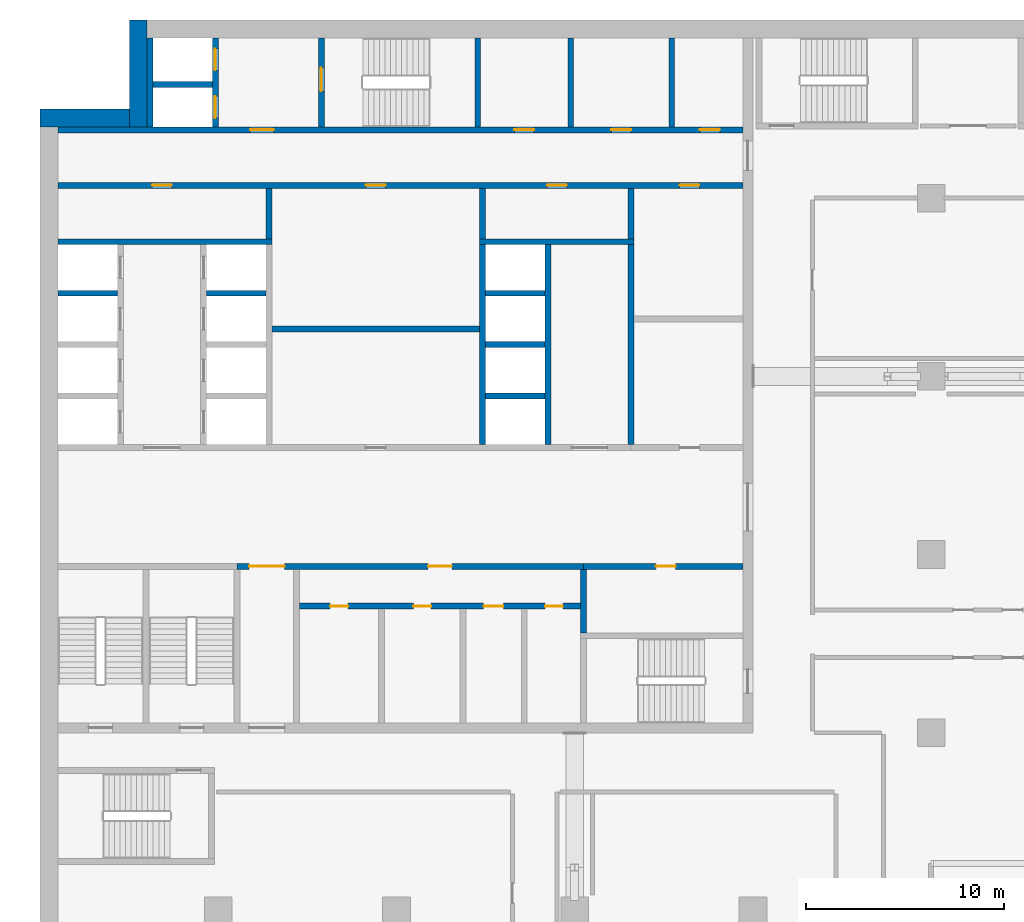
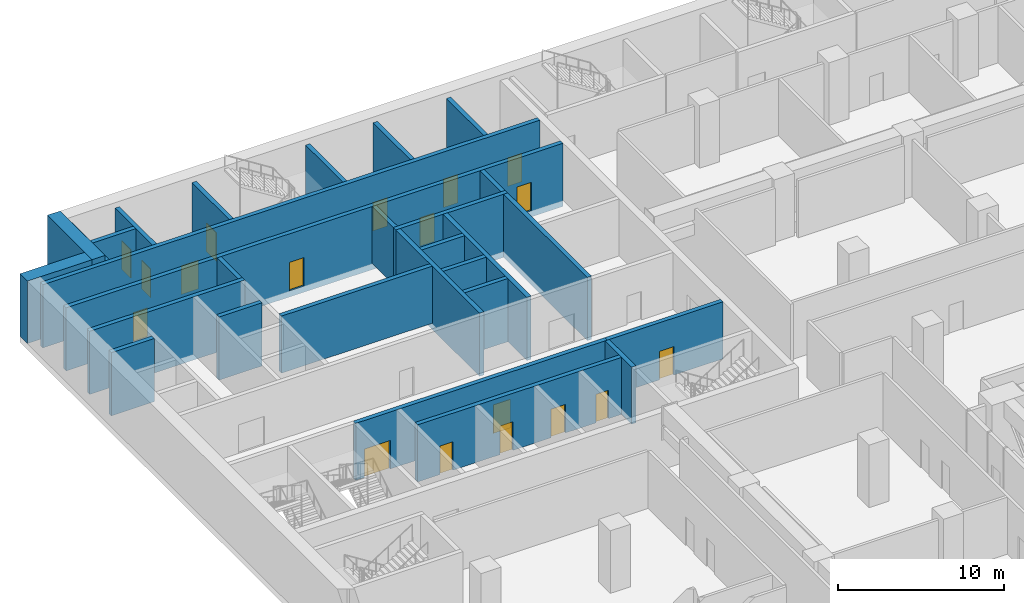
# One storey, part 12 of 24: 29 walls, 18 doors, 18 openings.
"""IFC4 building model written with IfcOpenShell, lengths in metres."""

import ifcopenshell
import ifcopenshell.guid

model = None  # the IFC model being written
_history = None  # IfcOwnerHistory: only IFC2X3 demands one
_inside = {}  # id of a spatial element -> (the spatial element, [elements in it])
_under = {}  # id of a project, library or spatial element -> (it, [spatial elements below it])
_declared = {}  # id of a project -> (the project, [libraries it declares])
_typed = {}  # id of a type object -> (the type object, [elements of that type])
_made_of = {}  # id of a material, layer set ... -> (it, [elements and type objects made of it])


def new_model(schema):
    """Start an empty IFC model of exactly this schema.

    Asked for "IFC4X3", IfcOpenShell would pick the latest addendum, in which some entities
    have other attributes; the version numbers below select the first issue.
    IFC2X3 requires an IfcOwnerHistory on every rooted entity: one is made here for all.
    """
    global model, _history
    if schema == "IFC4X3":
        model = ifcopenshell.file(schema_version=(4, 3, 0, 0))
    else:
        model = ifcopenshell.file(schema=schema)
    _inside.clear()
    _under.clear()
    _declared.clear()
    _typed.clear()
    _made_of.clear()
    _history = None
    if model.schema == "IFC2X3":
        org = make("IfcOrganization", Name="unknown")
        user = make(
            "IfcPersonAndOrganization",
            ThePerson=make("IfcPerson", FamilyName="unknown"),
            TheOrganization=org,
        )
        app = make(
            "IfcApplication",
            ApplicationDeveloper=org,
            Version="unknown",
            ApplicationFullName="unknown",
            ApplicationIdentifier="unknown",
        )
        _history = make(
            "IfcOwnerHistory",
            OwningUser=user,
            OwningApplication=app,
            ChangeAction="ADDED",
            CreationDate=0,
        )
    return model


def make(cls, **values):
    """One entity of the class cls with the attributes given. An attribute that is None is left unset."""
    return model.create_entity(
        cls, **{name: value for name, value in values.items() if value is not None}
    )


def rooted(cls, **values):
    """An entity with a GlobalId (a new one), such as an element, a storey or a relation."""
    return make(cls, GlobalId=ifcopenshell.guid.new(), OwnerHistory=_history, **values)


def si_unit(unit_type, name, prefix=None):
    """IfcSIUnit, for example si_unit("LENGTHUNIT", "METRE", prefix="MILLI")."""
    return make("IfcSIUnit", UnitType=unit_type, Prefix=prefix, Name=name)


def assignment(units):
    """IfcUnitAssignment: the units of a project."""
    return None if units is None else make("IfcUnitAssignment", Units=units)


def point(xyz):
    """IfcCartesianPoint."""
    return None if xyz is None else make("IfcCartesianPoint", Coordinates=xyz)


def direction(xyz):
    """IfcDirection."""
    return None if xyz is None else make("IfcDirection", DirectionRatios=xyz)


def frame(location, z_axis=None, x_axis=None):
    """IfcAxis2Placement3D, a coordinate frame: its origin and axes. An axis left out is left unset."""
    return make(
        "IfcAxis2Placement3D",
        Location=point(location),
        Axis=direction(z_axis),
        RefDirection=direction(x_axis),
    )


def frame_2d(location, x_axis=None):
    """IfcAxis2Placement2D, a coordinate frame in the plane: its origin and x axis."""
    return make(
        "IfcAxis2Placement2D", Location=point(location), RefDirection=direction(x_axis)
    )


def origin():
    """The frame at (0, 0, 0) with its axes left unset."""
    return frame((0.0, 0.0, 0.0))


def place(relative_to, where):
    """IfcLocalPlacement: puts the frame where relative to a parent placement (None: the world)."""
    return make(
        "IfcLocalPlacement", PlacementRelTo=relative_to, RelativePlacement=where
    )


def context(
    kind, dimensions, precision=None, world=None, true_north=None, identifier=None
):
    """IfcGeometricRepresentationContext, for example the 3D "Model" context."""
    return make(
        "IfcGeometricRepresentationContext",
        ContextIdentifier=identifier,
        ContextType=kind,
        CoordinateSpaceDimension=dimensions,
        Precision=precision,
        WorldCoordinateSystem=world,
        TrueNorth=true_north,
    )


def subcontext(parent, identifier, kind, view, scale=None):
    """IfcGeometricRepresentationSubContext, for example "Body" below "Model"."""
    return make(
        "IfcGeometricRepresentationSubContext",
        ContextIdentifier=identifier,
        ContextType=kind,
        ParentContext=parent,
        TargetScale=scale,
        TargetView=view,
    )


def project(units=None, contexts=None):
    """IfcProject with its units and contexts."""
    return rooted(
        "IfcProject",
        Name="project",
        RepresentationContexts=contexts,
        UnitsInContext=assignment(units),
    )


def spatial(cls, under=None, at=None, **own):
    """A site, building, storey or space (cls), placed at a placement, below another one or the project."""
    s = rooted(cls, ObjectPlacement=at, **own)
    if under is not None:
        _under.setdefault(under.id(), (under, []))[1].append(s)
    return s


def profile(cls, at=None, kind="AREA", **sizes):
    """A parametric profile (cls). Its sizes go by their IFC names, for example OverallWidth=200.0."""
    return make(cls, ProfileType=kind, Position=at, **sizes)


def rectangle(**sizes):
    """IfcRectangleProfileDef."""
    return profile("IfcRectangleProfileDef", **sizes)


def extrude(swept, where, along, depth):
    """IfcExtrudedAreaSolid: the profile swept, set in the frame where, extruded along a direction by depth."""
    return make(
        "IfcExtrudedAreaSolid",
        SweptArea=swept,
        Position=where,
        ExtrudedDirection=direction(along),
        Depth=depth,
    )


def shape(context_of_items, identifier, shape_type, items):
    """IfcShapeRepresentation: the items that make up one representation, for example the "Body"."""
    return make(
        "IfcShapeRepresentation",
        ContextOfItems=context_of_items,
        RepresentationIdentifier=identifier,
        RepresentationType=shape_type,
        Items=items,
    )


def material(Name=None, Category=None):
    """IfcMaterial."""
    return make("IfcMaterial", Name=Name, Category=Category)


def layer(
    of_material, thickness, ventilated=None, Name=None, Category=None, Priority=None
):
    """IfcMaterialLayer: one layer of a wall or slab, of a material (None: an air gap)."""
    return make(
        "IfcMaterialLayer",
        Material=of_material,
        LayerThickness=thickness,
        IsVentilated=ventilated,
        Name=Name,
        Category=Category,
        Priority=Priority,
    )


def layer_set(layers, Name=None):
    """IfcMaterialLayerSet."""
    return make("IfcMaterialLayerSet", MaterialLayers=layers, LayerSetName=Name)


def made_of(thing, what):
    """Note that an element or type object is made of a material, layer set ...; save() writes the relation."""
    if what is not None:
        _made_of.setdefault(what.id(), (what, []))[1].append(thing)
    return thing


def type_object(cls, material=None, **own):
    """A type object (cls), such as IfcWallType, which elements share."""
    return made_of(rooted(cls, **own), material)


def element(
    cls,
    number,
    at=None,
    inside=None,
    cuts=None,
    type_object=None,
    material=None,
    context=None,
    identifier="Body",
    shape_type=None,
    held_by="IfcProductDefinitionShape",
    body=None,
    shapes=None,
    **own,
):
    """One element of the class cls, such as IfcWall. Its Tag is "e" and its number.

    at: its placement. inside: the storey or other place that contains it. cuts: it is an
    opening in that element (IfcRelVoidsElement). A single representation is given by context,
    identifier, shape_type and body (its items); several are given by shapes. held_by: the class
    of the entity that holds the representations. save() writes the other relations.
    """
    e = rooted(cls, Tag="e%d" % number, ObjectPlacement=at, **own)
    if body is not None:
        shapes = [shape(context, identifier, shape_type, body)]
    if shapes is not None:
        e.Representation = make(held_by, Representations=shapes)
    if inside is not None:
        _inside.setdefault(inside.id(), (inside, []))[1].append(e)
    if cuts is not None:
        rooted(
            "IfcRelVoidsElement", RelatingBuildingElement=cuts, RelatedOpeningElement=e
        )
    if type_object is not None:
        _typed.setdefault(type_object.id(), (type_object, []))[1].append(e)
    return made_of(e, material)


def fill(opening, filler):
    """IfcRelFillsElement: the door or window that sits in an opening."""
    return rooted(
        "IfcRelFillsElement",
        RelatingOpeningElement=opening,
        RelatedBuildingElement=filler,
    )


def aggregate(whole, parts):
    """IfcRelAggregates: a whole, such as a stair, and the parts it consists of."""
    return rooted("IfcRelAggregates", RelatingObject=whole, RelatedObjects=parts)


def save(model, path):
    """Write the relations noted so far, then the file.

    IfcRelAggregates (storeys below a building ...), IfcRelContainedInSpatialStructure (elements
    in a storey), IfcRelDefinesByType, IfcRelAssociatesMaterial and IfcRelDeclares: one each for
    every whole, place, type object, material and project.
    """
    for whole, parts in _under.values():
        aggregate(whole, parts)
    for where, things in _inside.values():
        rooted(
            "IfcRelContainedInSpatialStructure",
            RelatedElements=things,
            RelatingStructure=where,
        )
    for kind, things in _typed.values():
        rooted("IfcRelDefinesByType", RelatedObjects=things, RelatingType=kind)
    for what, things in _made_of.values():
        rooted("IfcRelAssociatesMaterial", RelatedObjects=things, RelatingMaterial=what)
    for by, libraries in _declared.values():
        rooted("IfcRelDeclares", RelatingContext=by, RelatedDefinitions=libraries)
    model.write(path)


model = new_model("IFC4")

# Units and contexts
model_context = context("Model", 3, precision=1e-05, world=origin(), true_north=direction((0.0, 1.0)))
body_context = subcontext(model_context, "Body", "Model", "MODEL_VIEW")
ifc_project = project(units=[si_unit("LENGTHUNIT", "METRE"), si_unit("AREAUNIT", "SQUARE_METRE"), si_unit("VOLUMEUNIT", "CUBIC_METRE"), si_unit("PLANEANGLEUNIT", "RADIAN"), si_unit("MASSUNIT", "GRAM", prefix="KILO")], contexts=[model_context])

# Site, building, storey
site_placement = place(None, origin())
site = spatial("IfcSite", under=ifc_project, at=site_placement, CompositionType="ELEMENT")
building_placement = place(site_placement, origin())
building = spatial("IfcBuilding", under=site, at=building_placement, Name="Hunhe Ridgeline Campus", CompositionType="ELEMENT")
storey_placement = place(building_placement, frame((0.0, 0.0, 80.199951171875)))
storey = spatial("IfcBuildingStorey", under=building, at=storey_placement, Name="L19", CompositionType="ELEMENT", Elevation=80.199951171875)

# Wall, openings, doors
ifc_material_1 = material(Name="Masonry concrete blockwork", Category="masonry")
ifc_layer_1 = layer(ifc_material_1, 0.300048828125)
ifc_layer_set_1 = layer_set([ifc_layer_1], Name="Core room partition 300 concrete block")
wall_type_1 = type_object("IfcWallType", Name="Core room partition 300 concrete block", PredefinedType="PARTITIONING", material=ifc_layer_set_1)
wall_1_placement = place(storey_placement, frame((13.10009765625, 69.39990234375, 0.0), z_axis=(0.0, 0.0, 1.0), x_axis=(1.0, 0.0, 0.0)))
wall_1 = element("IfcWall", 1, at=wall_1_placement, inside=storey, type_object=wall_type_1, Name="L19 core partition 11", PredefinedType="PARTITIONING", context=body_context, shape_type="SweptSolid", body=[
    extrude(rectangle(XDim=14.199951171875, YDim=0.300048828125, at=frame_2d((7.10009765625, 0.0))), origin(), (0.0, 0.0, 1.0), 4.199951171875),
])
opening_1_placement = place(wall_1_placement, frame((1.550048828125, 0.0, 0.0)))
opening_1 = element("IfcOpeningElement", 2, at=opening_1_placement, cuts=wall_1, Name="Opening CD8", PredefinedType="OPENING", context=body_context, shape_type="SweptSolid", body=[
    extrude(rectangle(XDim=0.89990234375, YDim=2.10009765625, at=frame_2d((0.449951171875, 1.050048828125))), frame((0.0, 0.14990234375, 0.0), z_axis=(0.0, -1.0, 0.0), x_axis=(1.0, 0.0, 0.0)), (0.0, 0.0, 1.0), 0.300048828125),
])
opening_2_placement = place(wall_1_placement, frame((5.75, 0.0, 0.0)))
opening_2 = element("IfcOpeningElement", 3, at=opening_2_placement, cuts=wall_1, Name="Opening CD9", PredefinedType="OPENING", context=body_context, shape_type="SweptSolid", body=[
    extrude(rectangle(XDim=0.89990234375, YDim=2.10009765625, at=frame_2d((0.449951171875, 1.050048828125))), frame((0.0, 0.14990234375, 0.0), z_axis=(0.0, -1.0, 0.0), x_axis=(1.0, 0.0, 0.0)), (0.0, 0.0, 1.0), 0.300048828125),
])
opening_3_placement = place(wall_1_placement, frame((9.300048828125, 0.0, 0.0)))
opening_3 = element("IfcOpeningElement", 4, at=opening_3_placement, cuts=wall_1, Name="Opening CD10", PredefinedType="OPENING", context=body_context, shape_type="SweptSolid", body=[
    extrude(rectangle(XDim=1.0, YDim=2.10009765625, at=frame_2d((0.5, 1.050048828125))), frame((0.0, 0.14990234375, 0.0), z_axis=(0.0, -1.0, 0.0), x_axis=(1.0, 0.0, 0.0)), (0.0, 0.0, 1.0), 0.300048828125),
])
opening_4_placement = place(wall_1_placement, frame((12.39990234375, 0.0, 0.0)))
opening_4 = element("IfcOpeningElement", 5, at=opening_4_placement, cuts=wall_1, Name="Opening CD11", PredefinedType="OPENING", context=body_context, shape_type="SweptSolid", body=[
    extrude(rectangle(XDim=0.89990234375, YDim=2.10009765625, at=frame_2d((0.449951171875, 1.050048828125))), frame((0.0, 0.14990234375, 0.0), z_axis=(0.0, -1.0, 0.0), x_axis=(1.0, 0.0, 0.0)), (0.0, 0.0, 1.0), 0.300048828125),
])
ifc_material_2 = material(Name="Solid core timber door leaf", Category="wood")
door_type_1 = type_object("IfcDoorType", Name="Timber door 1000x2100", OperationType="SINGLE_SWING_LEFT", PredefinedType="DOOR", material=ifc_material_2)
door_1_placement = place(opening_3_placement, frame((1.0, 0.0, 0.0), z_axis=(0.0, 0.0, 1.0), x_axis=(-1.0, 0.0, 0.0)))
door_1 = element("IfcDoor", 6, at=door_1_placement, inside=storey, type_object=door_type_1, Name="L19 door WC3", OperationType="SINGLE_SWING_RIGHT", OverallHeight=2.10009765625, OverallWidth=1.0, PredefinedType="DOOR", context=body_context, shape_type="SweptSolid", body=[
    extrude(rectangle(XDim=1.0, YDim=2.10009765625, at=frame_2d((0.5, 1.050048828125))), frame((0.0, 0.02490234375, 0.0), z_axis=(0.0, -1.0, 0.0), x_axis=(1.0, 0.0, 0.0)), (0.0, 0.0, 1.0), 0.050048828125),
])
fill(opening_3, door_1)
door_type_2 = type_object("IfcDoorType", Name="Timber door 900x2100", OperationType="SINGLE_SWING_LEFT", PredefinedType="DOOR", material=ifc_material_2)
door_2_placement = place(opening_1_placement, frame((0.89990234375, 0.0, 0.0), z_axis=(0.0, 0.0, 1.0), x_axis=(-1.0, 0.0, 0.0)))
door_2 = element("IfcDoor", 7, at=door_2_placement, inside=storey, type_object=door_type_2, Name="L19 door WC1", OperationType="SINGLE_SWING_RIGHT", OverallHeight=2.10009765625, OverallWidth=0.89990234375, PredefinedType="DOOR", context=body_context, shape_type="SweptSolid", body=[
    extrude(rectangle(XDim=0.89990234375, YDim=2.10009765625, at=frame_2d((0.449951171875, 1.050048828125))), frame((0.0, 0.02490234375, 0.0), z_axis=(0.0, -1.0, 0.0), x_axis=(1.0, 0.0, 0.0)), (0.0, 0.0, 1.0), 0.050048828125),
])
fill(opening_1, door_2)
door_3_placement = place(opening_2_placement, frame((0.89990234375, 0.0, 0.0), z_axis=(0.0, 0.0, 1.0), x_axis=(-1.0, 0.0, 0.0)))
door_3 = element("IfcDoor", 8, at=door_3_placement, inside=storey, type_object=door_type_2, Name="L19 door WC2", OperationType="SINGLE_SWING_LEFT", OverallHeight=2.10009765625, OverallWidth=0.89990234375, PredefinedType="DOOR", context=body_context, shape_type="SweptSolid", body=[
    extrude(rectangle(XDim=0.89990234375, YDim=2.10009765625, at=frame_2d((0.449951171875, 1.050048828125))), frame((0.0, 0.02490234375, 0.0), z_axis=(0.0, -1.0, 0.0), x_axis=(1.0, 0.0, 0.0)), (0.0, 0.0, 1.0), 0.050048828125),
])
fill(opening_2, door_3)
door_4_placement = place(opening_4_placement, frame((0.89990234375, 0.0, 0.0), z_axis=(0.0, 0.0, 1.0), x_axis=(-1.0, 0.0, 0.0)))
door_4 = element("IfcDoor", 9, at=door_4_placement, inside=storey, type_object=door_type_2, Name="L19 door WC4", OperationType="SINGLE_SWING_LEFT", OverallHeight=2.10009765625, OverallWidth=0.89990234375, PredefinedType="DOOR", context=body_context, shape_type="SweptSolid", body=[
    extrude(rectangle(XDim=0.89990234375, YDim=2.10009765625, at=frame_2d((0.449951171875, 1.050048828125))), frame((0.0, 0.02490234375, 0.0), z_axis=(0.0, -1.0, 0.0), x_axis=(1.0, 0.0, 0.0)), (0.0, 0.0, 1.0), 0.050048828125),
])
fill(opening_4, door_4)

wall_2_placement = place(storey_placement, frame((9.949951171875, 71.39990234375, 0.0), z_axis=(0.0, 0.0, 1.0), x_axis=(1.0, 0.0, 0.0)))
wall_2 = element("IfcWall", 10, at=wall_2_placement, inside=storey, type_object=wall_type_1, Name="L19 core partition 13", PredefinedType="PARTITIONING", context=body_context, shape_type="SweptSolid", body=[
    extrude(rectangle(XDim=17.5, YDim=0.300048828125, at=frame_2d((8.75, 0.0))), origin(), (0.0, 0.0, 1.0), 4.199951171875),
])
opening_5_placement = place(wall_2_placement, frame((0.60009765625, 0.0, 0.0)))
opening_5 = element("IfcOpeningElement", 11, at=opening_5_placement, cuts=wall_2, Name="Opening CD7", PredefinedType="OPENING", context=body_context, shape_type="SweptSolid", body=[
    extrude(rectangle(XDim=1.800048828125, YDim=2.10009765625, at=frame_2d((0.89990234375, 1.050048828125))), frame((0.0, 0.14990234375, 0.0), z_axis=(0.0, -1.0, 0.0), x_axis=(1.0, 0.0, 0.0)), (0.0, 0.0, 1.0), 0.300048828125),
])
opening_6_placement = place(wall_2_placement, frame((9.64990234375, 0.0, 0.0)))
opening_6 = element("IfcOpeningElement", 12, at=opening_6_placement, cuts=wall_2, Name="Opening CD12", PredefinedType="OPENING", context=body_context, shape_type="SweptSolid", body=[
    extrude(rectangle(XDim=1.199951171875, YDim=2.10009765625, at=frame_2d((0.60009765625, 1.050048828125))), frame((0.0, 0.14990234375, 0.0), z_axis=(0.0, -1.0, 0.0), x_axis=(1.0, 0.0, 0.0)), (0.0, 0.0, 1.0), 0.300048828125),
])
ifc_material_3 = material(Name="Anodised aluminium and glass", Category="aluminium")
door_type_3 = type_object("IfcDoorType", Name="Glazed double door 1800x2100", OperationType="DOUBLE_DOOR_SINGLE_SWING", PredefinedType="DOOR", material=ifc_material_3)
door_5_placement = place(opening_5_placement, origin())
door_5 = element("IfcDoor", 13, at=door_5_placement, inside=storey, type_object=door_type_3, Name="L19 door VEST-HALL", OperationType="DOUBLE_DOOR_SINGLE_SWING", OverallHeight=2.10009765625, OverallWidth=1.800048828125, PredefinedType="DOOR", context=body_context, shape_type="SweptSolid", body=[
    extrude(rectangle(XDim=1.800048828125, YDim=2.10009765625, at=frame_2d((0.89990234375, 1.050048828125))), frame((0.0, 0.02490234375, 0.0), z_axis=(0.0, -1.0, 0.0), x_axis=(1.0, 0.0, 0.0)), (0.0, 0.0, 1.0), 0.050048828125),
])
fill(opening_5, door_5)
door_type_4 = type_object("IfcDoorType", Name="Timber door 1200x2100", OperationType="SINGLE_SWING_LEFT", PredefinedType="DOOR", material=ifc_material_2)
door_6_placement = place(opening_6_placement, origin())
door_6 = element("IfcDoor", 14, at=door_6_placement, inside=storey, type_object=door_type_4, Name="L19 door WCL2-HALL", OperationType="SINGLE_SWING_LEFT", OverallHeight=2.10009765625, OverallWidth=1.199951171875, PredefinedType="DOOR", context=body_context, shape_type="SweptSolid", body=[
    extrude(rectangle(XDim=1.199951171875, YDim=2.10009765625, at=frame_2d((0.60009765625, 1.050048828125))), frame((0.0, 0.02490234375, 0.0), z_axis=(0.0, -1.0, 0.0), x_axis=(1.0, 0.0, 0.0)), (0.0, 0.0, 1.0), 0.050048828125),
])
fill(opening_6, door_6)

# Walls
wall_3_placement = place(storey_placement, frame((11.699951171875, 83.39990234375, 0.0), z_axis=(0.0, 0.0, 1.0), x_axis=(1.0, 0.0, 0.0)))
element("IfcWall", 15, at=wall_3_placement, inside=storey, type_object=wall_type_1, Name="L19 core partition 23", PredefinedType="PARTITIONING", context=body_context, shape_type="SweptSolid", body=[
    extrude(rectangle(XDim=10.5, YDim=0.300048828125, at=frame_2d((5.25, 0.0))), origin(), (0.0, 0.0, 1.0), 4.199951171875),
])
for number, where, z_axis, x_axis, name in (
    (16, (11.550048828125, 87.949951171875, 0.0), (0.0, 0.0, 1.0), (0.0, 1.0, 0.0), "L19 core partition 47"),
    (17, (22.35009765625, 87.949951171875, 0.0), (0.0, 0.0, 1.0), (0.0, 1.0, 0.0), "L19 core partition 55"),
):
    element("IfcWall", number, at=place(storey_placement, frame(where, z_axis=z_axis, x_axis=x_axis)), inside=storey, type_object=wall_type_1, Name=name, PredefinedType="PARTITIONING", context=body_context, shape_type="SweptSolid", body=[
        extrude(rectangle(XDim=2.550048828125, YDim=0.300048828125, at=frame_2d((1.27490234375, 0.0))), origin(), (0.0, 0.0, 1.0), 4.199951171875),
    ])
wall_4_placement = place(storey_placement, frame((26.800048828125, 93.60009765625, 0.0), z_axis=(0.0, 0.0, 1.0), x_axis=(0.0, 1.0, 0.0)))
element("IfcWall", 18, at=wall_4_placement, inside=storey, type_object=wall_type_1, Name="L19 core partition 59", PredefinedType="PARTITIONING", context=body_context, shape_type="SweptSolid", body=[
    extrude(rectangle(XDim=4.5, YDim=0.300048828125, at=frame_2d((2.25, 0.0))), origin(), (0.0, 0.0, 1.0), 4.199951171875),
])
wall_5_placement = place(storey_placement, frame((27.449951171875, 68.050048828125, 0.0), z_axis=(0.0, 0.0, 1.0), x_axis=(0.0, 1.0, 0.0)))
element("IfcWall", 19, at=wall_5_placement, inside=storey, type_object=wall_type_1, Name="L19 core partition 61", PredefinedType="PARTITIONING", context=body_context, shape_type="SweptSolid", body=[
    extrude(rectangle(XDim=3.199951171875, YDim=0.300048828125, at=frame_2d((1.60009765625, 0.0))), origin(), (0.0, 0.0, 1.0), 4.199951171875),
])
wall_6_placement = place(storey_placement, frame((29.85009765625, 87.949951171875, 0.0), z_axis=(0.0, 0.0, 1.0), x_axis=(0.0, 1.0, 0.0)))
element("IfcWall", 20, at=wall_6_placement, inside=storey, type_object=wall_type_1, Name="L19 core partition 63", PredefinedType="PARTITIONING", context=body_context, shape_type="SweptSolid", body=[
    extrude(rectangle(XDim=2.550048828125, YDim=0.300048828125, at=frame_2d((1.27490234375, 0.0))), origin(), (0.0, 0.0, 1.0), 4.199951171875),
])
wall_7_placement = place(storey_placement, frame((31.89990234375, 93.60009765625, 0.0), z_axis=(0.0, 0.0, 1.0), x_axis=(0.0, 1.0, 0.0)))
element("IfcWall", 21, at=wall_7_placement, inside=storey, type_object=wall_type_1, Name="L19 core partition 64", PredefinedType="PARTITIONING", context=body_context, shape_type="SweptSolid", body=[
    extrude(rectangle(XDim=4.5, YDim=0.300048828125, at=frame_2d((2.25, 0.0))), origin(), (0.0, 0.0, 1.0), 4.199951171875),
])

# Wall, opening, door
ifc_material_4 = material(Name="Concrete C80", Category="concrete")
ifc_layer_2 = layer(ifc_material_4, 0.300048828125)
ifc_layer_set_2 = layer_set([ifc_layer_2], Name="Lobby wall 300 reinforced concrete C80")
wall_type_2 = type_object("IfcWallType", Name="Lobby wall 300 reinforced concrete C80", PredefinedType="SOLIDWALL", material=ifc_layer_set_2)
wall_8_placement = place(storey_placement, frame((27.449951171875, 71.39990234375, 0.0), z_axis=(0.0, 0.0, 1.0), x_axis=(1.0, 0.0, 0.0)))
wall_8 = element("IfcWall", 22, at=wall_8_placement, inside=storey, type_object=wall_type_2, Name="L19 core wall 14", PredefinedType="SOLIDWALL", context=body_context, shape_type="SweptSolid", body=[
    extrude(rectangle(XDim=8.050048828125, YDim=0.300048828125, at=frame_2d((4.02490234375, 0.0))), origin(), (0.0, 0.0, 1.0), 4.199951171875),
])
opening_7_placement = place(wall_8_placement, frame((3.64990234375, 0.0, 0.0)))
opening_7 = element("IfcOpeningElement", 23, at=opening_7_placement, cuts=wall_8, Name="Opening CD25", PredefinedType="OPENING", context=body_context, shape_type="SweptSolid", body=[
    extrude(rectangle(XDim=1.0, YDim=2.10009765625, at=frame_2d((0.5, 1.050048828125))), frame((0.0, 0.14990234375, 0.0), z_axis=(0.0, -1.0, 0.0), x_axis=(1.0, 0.0, 0.0)), (0.0, 0.0, 1.0), 0.300048828125),
])
door_7_placement = place(opening_7_placement, frame((1.0, 0.0, 0.0), z_axis=(0.0, 0.0, 1.0), x_axis=(-1.0, 0.0, 0.0)))
door_7 = element("IfcDoor", 24, at=door_7_placement, inside=storey, type_object=door_type_1, Name="L19 door SE1", OperationType="SINGLE_SWING_LEFT", OverallHeight=2.10009765625, OverallWidth=1.0, PredefinedType="DOOR", context=body_context, shape_type="SweptSolid", body=[
    extrude(rectangle(XDim=1.0, YDim=2.10009765625, at=frame_2d((0.5, 1.050048828125))), frame((0.0, 0.02490234375, 0.0), z_axis=(0.0, -1.0, 0.0), x_axis=(1.0, 0.0, 0.0)), (0.0, 0.0, 1.0), 0.050048828125),
])
fill(opening_7, door_7)

# Wall, openings, doors
wall_9_placement = place(storey_placement, frame((0.89990234375, 90.64990234375, -0.449951171875), z_axis=(0.0, 0.0, 1.0), x_axis=(1.0, 0.0, 0.0)))
wall_9 = element("IfcWall", 25, at=wall_9_placement, inside=storey, type_object=wall_type_2, Name="L19 core wall 30", PredefinedType="SOLIDWALL", context=body_context, shape_type="SweptSolid", body=[
    extrude(rectangle(XDim=34.60009765625, YDim=0.300048828125, at=frame_2d((17.300048828125, 0.0))), origin(), (0.0, 0.0, 1.0), 4.64990234375),
])
opening_8_placement = place(wall_9_placement, frame((4.75, 0.0, 0.449951171875)))
opening_8 = element("IfcOpeningElement", 26, at=opening_8_placement, cuts=wall_9, Name="Opening CD26", PredefinedType="OPENING", context=body_context, shape_type="SweptSolid", body=[
    extrude(rectangle(XDim=1.0, YDim=2.10009765625, at=frame_2d((0.5, 1.050048828125))), frame((0.0, 0.14990234375, 0.0), z_axis=(0.0, -1.0, 0.0), x_axis=(1.0, 0.0, 0.0)), (0.0, 0.0, 1.0), 0.300048828125),
])
opening_9_placement = place(wall_9_placement, frame((24.699951171875, 0.0, 0.449951171875)))
opening_9 = element("IfcOpeningElement", 27, at=opening_9_placement, cuts=wall_9, Name="Opening CD27", PredefinedType="OPENING", context=body_context, shape_type="SweptSolid", body=[
    extrude(rectangle(XDim=1.0, YDim=2.10009765625, at=frame_2d((0.5, 1.050048828125))), frame((0.0, 0.14990234375, 0.0), z_axis=(0.0, -1.0, 0.0), x_axis=(1.0, 0.0, 0.0)), (0.0, 0.0, 1.0), 0.300048828125),
])
opening_10_placement = place(wall_9_placement, frame((15.550048828125, 0.0, 0.449951171875)))
opening_10 = element("IfcOpeningElement", 28, at=opening_10_placement, cuts=wall_9, Name="Opening CD29", PredefinedType="OPENING", context=body_context, shape_type="SweptSolid", body=[
    extrude(rectangle(XDim=1.0, YDim=2.10009765625, at=frame_2d((0.5, 1.050048828125))), frame((0.0, 0.14990234375, 0.0), z_axis=(0.0, -1.0, 0.0), x_axis=(1.0, 0.0, 0.0)), (0.0, 0.0, 1.0), 0.300048828125),
])
opening_11_placement = place(wall_9_placement, frame((31.39990234375, 0.0, 0.449951171875)))
opening_11 = element("IfcOpeningElement", 29, at=opening_11_placement, cuts=wall_9, Name="Opening CD33", PredefinedType="OPENING", context=body_context, shape_type="SweptSolid", body=[
    extrude(rectangle(XDim=1.0, YDim=2.10009765625, at=frame_2d((0.5, 1.050048828125))), frame((0.0, 0.14990234375, 0.0), z_axis=(0.0, -1.0, 0.0), x_axis=(1.0, 0.0, 0.0)), (0.0, 0.0, 1.0), 0.300048828125),
])
door_8_placement = place(opening_8_placement, frame((1.0, 0.0, 0.0), z_axis=(0.0, 0.0, 1.0), x_axis=(-1.0, 0.0, 0.0)))
door_8 = element("IfcDoor", 30, at=door_8_placement, inside=storey, type_object=door_type_1, Name="L19 door NR-0", OperationType="SINGLE_SWING_LEFT", OverallHeight=2.10009765625, OverallWidth=1.0, PredefinedType="DOOR", context=body_context, shape_type="SweptSolid", body=[
    extrude(rectangle(XDim=1.0, YDim=2.10009765625, at=frame_2d((0.5, 1.050048828125))), frame((0.0, 0.02490234375, 0.0), z_axis=(0.0, -1.0, 0.0), x_axis=(1.0, 0.0, 0.0)), (0.0, 0.0, 1.0), 0.050048828125),
])
fill(opening_8, door_8)
door_9_placement = place(opening_9_placement, frame((1.0, 0.0, 0.0), z_axis=(0.0, 0.0, 1.0), x_axis=(-1.0, 0.0, 0.0)))
door_9 = element("IfcDoor", 31, at=door_9_placement, inside=storey, type_object=door_type_1, Name="L19 door NR-1", OperationType="SINGLE_SWING_RIGHT", OverallHeight=2.10009765625, OverallWidth=1.0, PredefinedType="DOOR", context=body_context, shape_type="SweptSolid", body=[
    extrude(rectangle(XDim=1.0, YDim=2.10009765625, at=frame_2d((0.5, 1.050048828125))), frame((0.0, 0.02490234375, 0.0), z_axis=(0.0, -1.0, 0.0), x_axis=(1.0, 0.0, 0.0)), (0.0, 0.0, 1.0), 0.050048828125),
])
fill(opening_9, door_9)
door_10_placement = place(opening_10_placement, frame((1.0, 0.0, 0.0), z_axis=(0.0, 0.0, 1.0), x_axis=(-1.0, 0.0, 0.0)))
door_10 = element("IfcDoor", 32, at=door_10_placement, inside=storey, type_object=door_type_1, Name="L19 door VD-HR1", OperationType="SINGLE_SWING_RIGHT", OverallHeight=2.10009765625, OverallWidth=1.0, PredefinedType="DOOR", context=body_context, shape_type="SweptSolid", body=[
    extrude(rectangle(XDim=1.0, YDim=2.10009765625, at=frame_2d((0.5, 1.050048828125))), frame((0.0, 0.02490234375, 0.0), z_axis=(0.0, -1.0, 0.0), x_axis=(1.0, 0.0, 0.0)), (0.0, 0.0, 1.0), 0.050048828125),
])
fill(opening_10, door_10)
door_11_placement = place(opening_11_placement, frame((1.0, 0.0, 0.0), z_axis=(0.0, 0.0, 1.0), x_axis=(-1.0, 0.0, 0.0)))
door_11 = element("IfcDoor", 33, at=door_11_placement, inside=storey, type_object=door_type_1, Name="L19 door ES1", OperationType="SINGLE_SWING_LEFT", OverallHeight=2.10009765625, OverallWidth=1.0, PredefinedType="DOOR", context=body_context, shape_type="SweptSolid", body=[
    extrude(rectangle(XDim=1.0, YDim=2.10009765625, at=frame_2d((0.5, 1.050048828125))), frame((0.0, 0.02490234375, 0.0), z_axis=(0.0, -1.0, 0.0), x_axis=(1.0, 0.0, 0.0)), (0.0, 0.0, 1.0), 0.050048828125),
])
fill(opening_11, door_11)

# Walls
wall_10_placement = place(storey_placement, frame((29.85009765625, 77.550048828125, -0.449951171875), z_axis=(0.0, 0.0, 1.0), x_axis=(0.0, 1.0, 0.0)))
element("IfcWall", 34, at=wall_10_placement, inside=storey, type_object=wall_type_2, Name="L19 core wall 62", PredefinedType="SOLIDWALL", context=body_context, shape_type="SweptSolid", body=[
    extrude(rectangle(XDim=10.099853515625, YDim=0.300048828125, at=frame_2d((5.0498046875, 0.0))), origin(), (0.0, 0.0, 1.0), 4.64990234375),
])
ifc_layer_3 = layer(ifc_material_4, 0.300048828125)
ifc_layer_set_3 = layer_set([ifc_layer_3], Name="Shaft wall 300 reinforced concrete C80")
wall_type_3 = type_object("IfcWallType", Name="Shaft wall 300 reinforced concrete C80", PredefinedType="SOLIDWALL", material=ifc_layer_set_3)
for number, where, z_axis, x_axis, name in (
    (35, (22.5, 80.0, -0.449951171875), (0.0, 0.0, 1.0), (1.0, 0.0, 0.0), "L19 core wall 19"),
    (36, (22.5, 82.60009765625, -0.449951171875), (0.0, 0.0, 1.0), (1.0, 0.0, 0.0), "L19 core wall 22"),
    (37, (0.89990234375, 85.199951171875, -0.449951171875), (0.0, 0.0, 1.0), (1.0, 0.0, 0.0), "L19 core wall 25"),
    (38, (8.39990234375, 85.199951171875, -0.449951171875), (0.0, 0.0, 1.0), (1.0, 0.0, 0.0), "L19 core wall 26"),
    (39, (22.5, 85.199951171875, -0.449951171875), (0.0, 0.0, 1.0), (1.0, 0.0, 0.0), "L19 core wall 27"),
):
    element("IfcWall", number, at=place(storey_placement, frame(where, z_axis=z_axis, x_axis=x_axis)), inside=storey, type_object=wall_type_3, Name=name, PredefinedType="SOLIDWALL", context=body_context, shape_type="SweptSolid", body=[
        extrude(rectangle(XDim=3.0, YDim=0.300048828125, at=frame_2d((1.5, 0.0))), origin(), (0.0, 0.0, 1.0), 4.64990234375),
    ])
wall_11_placement = place(storey_placement, frame((0.89990234375, 87.800048828125, -0.449951171875), z_axis=(0.0, 0.0, 1.0), x_axis=(1.0, 0.0, 0.0)))
element("IfcWall", 40, at=wall_11_placement, inside=storey, type_object=wall_type_3, Name="L19 core wall 28", PredefinedType="SOLIDWALL", context=body_context, shape_type="SweptSolid", body=[
    extrude(rectangle(XDim=10.800048828125, YDim=0.300048828125, at=frame_2d((5.39990234375, 0.0))), origin(), (0.0, 0.0, 1.0), 4.64990234375),
])
wall_12_placement = place(storey_placement, frame((22.199951171875, 87.800048828125, -0.449951171875), z_axis=(0.0, 0.0, 1.0), x_axis=(1.0, 0.0, 0.0)))
element("IfcWall", 41, at=wall_12_placement, inside=storey, type_object=wall_type_3, Name="L19 core wall 29", PredefinedType="SOLIDWALL", context=body_context, shape_type="SweptSolid", body=[
    extrude(rectangle(XDim=7.800048828125, YDim=0.300048828125, at=frame_2d((3.89990234375, 0.0))), origin(), (0.0, 0.0, 1.0), 4.64990234375),
])

# Wall, openings, doors
wall_13_placement = place(storey_placement, frame((0.89990234375, 93.449951171875, -0.449951171875), z_axis=(0.0, 0.0, 1.0), x_axis=(1.0, 0.0, 0.0)))
wall_13 = element("IfcWall", 42, at=wall_13_placement, inside=storey, type_object=wall_type_3, Name="L19 core wall 31", PredefinedType="SOLIDWALL", context=body_context, shape_type="SweptSolid", body=[
    extrude(rectangle(XDim=34.60009765625, YDim=0.300048828125, at=frame_2d((17.300048828125, 0.0))), origin(), (0.0, 0.0, 1.0), 4.64990234375),
])
opening_12_placement = place(wall_13_placement, frame((9.699951171875, 0.0, 0.449951171875)))
opening_12 = element("IfcOpeningElement", 43, at=opening_12_placement, cuts=wall_13, Name="Opening CD3", PredefinedType="OPENING", context=body_context, shape_type="SweptSolid", body=[
    extrude(rectangle(XDim=1.199951171875, YDim=2.10009765625, at=frame_2d((0.60009765625, 1.050048828125))), frame((0.0, 0.14990234375, 0.0), z_axis=(0.0, -1.0, 0.0), x_axis=(1.0, 0.0, 0.0)), (0.0, 0.0, 1.0), 0.300048828125),
])
opening_13_placement = place(wall_13_placement, frame((23.050048828125, 0.0, 0.449951171875)))
opening_13 = element("IfcOpeningElement", 44, at=opening_13_placement, cuts=wall_13, Name="Opening CD34", PredefinedType="OPENING", context=body_context, shape_type="SweptSolid", body=[
    extrude(rectangle(XDim=1.0, YDim=2.10009765625, at=frame_2d((0.5, 1.050048828125))), frame((0.0, 0.14990234375, 0.0), z_axis=(0.0, -1.0, 0.0), x_axis=(1.0, 0.0, 0.0)), (0.0, 0.0, 1.0), 0.300048828125),
])
opening_14_placement = place(wall_13_placement, frame((27.949951171875, 0.0, 0.449951171875)))
opening_14 = element("IfcOpeningElement", 45, at=opening_14_placement, cuts=wall_13, Name="Opening CD35", PredefinedType="OPENING", context=body_context, shape_type="SweptSolid", body=[
    extrude(rectangle(XDim=1.0, YDim=2.10009765625, at=frame_2d((0.5, 1.050048828125))), frame((0.0, 0.14990234375, 0.0), z_axis=(0.0, -1.0, 0.0), x_axis=(1.0, 0.0, 0.0)), (0.0, 0.0, 1.0), 0.300048828125),
])
opening_15_placement = place(wall_13_placement, frame((32.425048828125, 0.0, 0.449951171875)))
opening_15 = element("IfcOpeningElement", 46, at=opening_15_placement, cuts=wall_13, Name="Opening CD36", PredefinedType="OPENING", context=body_context, shape_type="SweptSolid", body=[
    extrude(rectangle(XDim=1.0, YDim=2.10009765625, at=frame_2d((0.5, 1.050048828125))), frame((0.0, 0.14990234375, 0.0), z_axis=(0.0, -1.0, 0.0), x_axis=(1.0, 0.0, 0.0)), (0.0, 0.0, 1.0), 0.300048828125),
])
ifc_material_5 = material(Name="Hollow metal fire door leaf")
door_type_5 = type_object("IfcDoorType", Name="Lobby door 1200x2100 FD60", OperationType="SINGLE_SWING_LEFT", PredefinedType="DOOR", material=ifc_material_5)
door_12_placement = place(opening_12_placement, frame((1.199951171875, 0.0, 0.0), z_axis=(0.0, 0.0, 1.0), x_axis=(-1.0, 0.0, 0.0)))
door_12 = element("IfcDoor", 47, at=door_12_placement, inside=storey, type_object=door_type_5, Name="L19 door FF-C1", OperationType="SINGLE_SWING_LEFT", OverallHeight=2.10009765625, OverallWidth=1.199951171875, PredefinedType="DOOR", context=body_context, shape_type="SweptSolid", body=[
    extrude(rectangle(XDim=1.199951171875, YDim=2.10009765625, at=frame_2d((0.60009765625, 1.050048828125))), frame((0.0, 0.02490234375, 0.0), z_axis=(0.0, -1.0, 0.0), x_axis=(1.0, 0.0, 0.0)), (0.0, 0.0, 1.0), 0.050048828125),
])
fill(opening_12, door_12)
door_13_placement = place(opening_13_placement, origin())
door_13 = element("IfcDoor", 48, at=door_13_placement, inside=storey, type_object=door_type_1, Name="L19 door NB0", OperationType="SINGLE_SWING_LEFT", OverallHeight=2.10009765625, OverallWidth=1.0, PredefinedType="DOOR", context=body_context, shape_type="SweptSolid", body=[
    extrude(rectangle(XDim=1.0, YDim=2.10009765625, at=frame_2d((0.5, 1.050048828125))), frame((0.0, 0.02490234375, 0.0), z_axis=(0.0, -1.0, 0.0), x_axis=(1.0, 0.0, 0.0)), (0.0, 0.0, 1.0), 0.050048828125),
])
fill(opening_13, door_13)
door_14_placement = place(opening_14_placement, origin())
door_14 = element("IfcDoor", 49, at=door_14_placement, inside=storey, type_object=door_type_1, Name="L19 door NB1", OperationType="SINGLE_SWING_RIGHT", OverallHeight=2.10009765625, OverallWidth=1.0, PredefinedType="DOOR", context=body_context, shape_type="SweptSolid", body=[
    extrude(rectangle(XDim=1.0, YDim=2.10009765625, at=frame_2d((0.5, 1.050048828125))), frame((0.0, 0.02490234375, 0.0), z_axis=(0.0, -1.0, 0.0), x_axis=(1.0, 0.0, 0.0)), (0.0, 0.0, 1.0), 0.050048828125),
])
fill(opening_14, door_14)
door_15_placement = place(opening_15_placement, origin())
door_15 = element("IfcDoor", 50, at=door_15_placement, inside=storey, type_object=door_type_1, Name="L19 door NB2", OperationType="SINGLE_SWING_LEFT", OverallHeight=2.10009765625, OverallWidth=1.0, PredefinedType="DOOR", context=body_context, shape_type="SweptSolid", body=[
    extrude(rectangle(XDim=1.0, YDim=2.10009765625, at=frame_2d((0.5, 1.050048828125))), frame((0.0, 0.02490234375, 0.0), z_axis=(0.0, -1.0, 0.0), x_axis=(1.0, 0.0, 0.0)), (0.0, 0.0, 1.0), 0.050048828125),
])
fill(opening_15, door_15)

# Walls
wall_14_placement = place(storey_placement, frame((5.699951171875, 95.75, -0.449951171875), z_axis=(0.0, 0.0, 1.0), x_axis=(1.0, 0.0, 0.0)))
element("IfcWall", 51, at=wall_14_placement, inside=storey, type_object=wall_type_3, Name="L19 core wall 36", PredefinedType="SOLIDWALL", context=body_context, shape_type="SweptSolid", body=[
    extrude(rectangle(XDim=3.0, YDim=0.300048828125, at=frame_2d((1.5, 0.0))), origin(), (0.0, 0.0, 1.0), 4.64990234375),
])
wall_15_placement = place(storey_placement, frame((5.550048828125, 93.60009765625, -0.449951171875), z_axis=(0.0, 0.0, 1.0), x_axis=(0.0, 1.0, 0.0)))
element("IfcWall", 52, at=wall_15_placement, inside=storey, type_object=wall_type_3, Name="L19 core wall 40", PredefinedType="SOLIDWALL", context=body_context, shape_type="SweptSolid", body=[
    extrude(rectangle(XDim=4.5, YDim=0.300048828125, at=frame_2d((2.25, 0.0))), origin(), (0.0, 0.0, 1.0), 4.64990234375),
])

# Wall, openings, doors
wall_16_placement = place(storey_placement, frame((8.85009765625, 93.60009765625, -0.449951171875), z_axis=(0.0, 0.0, 1.0), x_axis=(0.0, 1.0, 0.0)))
wall_16 = element("IfcWall", 53, at=wall_16_placement, inside=storey, type_object=wall_type_3, Name="L19 core wall 44", PredefinedType="SOLIDWALL", context=body_context, shape_type="SweptSolid", body=[
    extrude(rectangle(XDim=4.5, YDim=0.300048828125, at=frame_2d((2.25, 0.0))), origin(), (0.0, 0.0, 1.0), 4.64990234375),
])
opening_16_placement = place(wall_16_placement, frame((0.449951171875, 0.0, 0.449951171875)))
opening_16 = element("IfcOpeningElement", 54, at=opening_16_placement, cuts=wall_16, Name="Opening LD-FF1", PredefinedType="OPENING", context=body_context, shape_type="SweptSolid", body=[
    extrude(rectangle(XDim=1.10009765625, YDim=2.10009765625, at=frame_2d((0.550048828125, 1.050048828125))), frame((0.0, 0.14990234375, 0.0), z_axis=(0.0, -1.0, 0.0), x_axis=(1.0, 0.0, 0.0)), (0.0, 0.0, 1.0), 0.300048828125),
])
opening_17_placement = place(wall_16_placement, frame((2.85009765625, 0.0, 0.449951171875)))
opening_17 = element("IfcOpeningElement", 55, at=opening_17_placement, cuts=wall_16, Name="Opening LD-FF2", PredefinedType="OPENING", context=body_context, shape_type="SweptSolid", body=[
    extrude(rectangle(XDim=1.10009765625, YDim=2.10009765625, at=frame_2d((0.550048828125, 1.050048828125))), frame((0.0, 0.14990234375, 0.0), z_axis=(0.0, -1.0, 0.0), x_axis=(1.0, 0.0, 0.0)), (0.0, 0.0, 1.0), 0.300048828125),
])
ifc_material_6 = material(Name="Stainless steel sliding leaves", Category="steel")
door_type_6 = type_object("IfcDoorType", Name="Landing door 1100x2100 FD120", OperationType="SLIDING_TO_LEFT", PredefinedType="DOOR", material=ifc_material_6)
door_16_placement = place(opening_16_placement, origin())
door_16 = element("IfcDoor", 56, at=door_16_placement, inside=storey, type_object=door_type_6, Name="L19 landing door FF1", OperationType="SLIDING_TO_RIGHT", OverallHeight=2.10009765625, OverallWidth=1.10009765625, PredefinedType="DOOR", context=body_context, shape_type="SweptSolid", body=[
    extrude(rectangle(XDim=1.10009765625, YDim=2.10009765625, at=frame_2d((0.550048828125, 1.050048828125))), frame((0.0, 0.02490234375, 0.0), z_axis=(0.0, -1.0, 0.0), x_axis=(1.0, 0.0, 0.0)), (0.0, 0.0, 1.0), 0.050048828125),
])
fill(opening_16, door_16)
door_17_placement = place(opening_17_placement, origin())
door_17 = element("IfcDoor", 57, at=door_17_placement, inside=storey, type_object=door_type_6, Name="L19 landing door FF2", OperationType="SLIDING_TO_LEFT", OverallHeight=2.10009765625, OverallWidth=1.10009765625, PredefinedType="DOOR", context=body_context, shape_type="SweptSolid", body=[
    extrude(rectangle(XDim=1.10009765625, YDim=2.10009765625, at=frame_2d((0.550048828125, 1.050048828125))), frame((0.0, 0.02490234375, 0.0), z_axis=(0.0, -1.0, 0.0), x_axis=(1.0, 0.0, 0.0)), (0.0, 0.0, 1.0), 0.050048828125),
])
fill(opening_17, door_17)

# Walls
for number, where, z_axis, x_axis, name in (
    (58, (22.35009765625, 77.550048828125, -0.449951171875), (0.0, 0.0, 1.0), (0.0, 1.0, 0.0), "L19 core wall 54"),
    (59, (25.64990234375, 77.550048828125, -0.449951171875), (0.0, 0.0, 1.0), (0.0, 1.0, 0.0), "L19 core wall 58"),
):
    element("IfcWall", number, at=place(storey_placement, frame(where, z_axis=z_axis, x_axis=x_axis)), inside=storey, type_object=wall_type_3, Name=name, PredefinedType="SOLIDWALL", context=body_context, shape_type="SweptSolid", body=[
        extrude(rectangle(XDim=10.099853515625, YDim=0.300048828125, at=frame_2d((5.0498046875, 0.0))), origin(), (0.0, 0.0, 1.0), 4.64990234375),
    ])
ifc_material_7 = material(Name="Concrete C70", Category="concrete")
ifc_layer_4 = layer(ifc_material_7, 0.89990234375)
ifc_layer_set_4 = layer_set([ifc_layer_4], Name="Spine wall 900 Concrete C70")
wall_type_4 = type_object("IfcWallType", Name="Spine wall 900 Concrete C70", PredefinedType="SHEAR", material=ifc_layer_set_4)
for number, where, z_axis, x_axis, name in (
    (60, (4.949951171875, 99.0, 0.0), (0.0, 0.0, 1.0), (0.0, -1.0, 0.0), "Spine wall SW2-5 L19"),
    (61, (5.400146484375, 94.050048828125, 0.0), (0.0, 0.0, 1.0), (-1.0, 0.0, 0.0), "Spine wall SW2-6 L19"),
):
    element("IfcWall", number, at=place(storey_placement, frame(where, z_axis=z_axis, x_axis=x_axis)), inside=storey, type_object=wall_type_4, Name=name, PredefinedType="SHEAR", context=body_context, shape_type="SweptSolid", body=[
        extrude(rectangle(XDim=5.400146484375, YDim=0.89990234375, at=frame_2d((2.7001953125, 0.0))), origin(), (0.0, 0.0, 1.0), 4.60009765625),
    ])

# Wall, opening, door
ifc_layer_5 = layer(ifc_material_4, 0.300048828125)
ifc_layer_set_5 = layer_set([ifc_layer_5], Name="Stair wall 300 reinforced concrete C80")
wall_type_5 = type_object("IfcWallType", Name="Stair wall 300 reinforced concrete C80", PredefinedType="SOLIDWALL", material=ifc_layer_set_5)
wall_17_placement = place(storey_placement, frame((14.199951171875, 93.60009765625, -0.449951171875), z_axis=(0.0, 0.0, 1.0), x_axis=(0.0, 1.0, 0.0)))
wall_17 = element("IfcWall", 62, at=wall_17_placement, inside=storey, type_object=wall_type_5, Name="L19 core wall 49", PredefinedType="SOLIDWALL", context=body_context, shape_type="SweptSolid", body=[
    extrude(rectangle(XDim=4.5, YDim=0.300048828125, at=frame_2d((2.25, 0.0))), origin(), (0.0, 0.0, 1.0), 4.64990234375),
])
opening_18_placement = place(wall_17_placement, frame((1.800048828125, 0.0, 0.449951171875)))
opening_18 = element("IfcOpeningElement", 63, at=opening_18_placement, cuts=wall_17, Name="Opening CD16", PredefinedType="OPENING", context=body_context, shape_type="SweptSolid", body=[
    extrude(rectangle(XDim=1.199951171875, YDim=2.10009765625, at=frame_2d((0.60009765625, 1.050048828125))), frame((0.0, 0.14990234375, 0.0), z_axis=(0.0, -1.0, 0.0), x_axis=(1.0, 0.0, 0.0)), (0.0, 0.0, 1.0), 0.300048828125),
])
door_type_7 = type_object("IfcDoorType", Name="Stair door 1200x2100 FD60", OperationType="SINGLE_SWING_LEFT", PredefinedType="DOOR", material=ifc_material_5)
door_18_placement = place(opening_18_placement, origin())
door_18 = element("IfcDoor", 64, at=door_18_placement, inside=storey, type_object=door_type_7, Name="L19 door S1-FF", OperationType="SINGLE_SWING_LEFT", OverallHeight=2.10009765625, OverallWidth=1.199951171875, PredefinedType="DOOR", context=body_context, shape_type="SweptSolid", body=[
    extrude(rectangle(XDim=1.199951171875, YDim=2.10009765625, at=frame_2d((0.60009765625, 1.050048828125))), frame((0.0, 0.02490234375, 0.0), z_axis=(0.0, -1.0, 0.0), x_axis=(1.0, 0.0, 0.0)), (0.0, 0.0, 1.0), 0.050048828125),
])
fill(opening_18, door_18)

# Wall
wall_18_placement = place(storey_placement, frame((22.10009765625, 93.60009765625, -0.449951171875), z_axis=(0.0, 0.0, 1.0), x_axis=(0.0, 1.0, 0.0)))
element("IfcWall", 65, at=wall_18_placement, inside=storey, type_object=wall_type_5, Name="L19 core wall 53", PredefinedType="SOLIDWALL", context=body_context, shape_type="SweptSolid", body=[
    extrude(rectangle(XDim=4.5, YDim=0.300048828125, at=frame_2d((2.25, 0.0))), origin(), (0.0, 0.0, 1.0), 4.64990234375),
])

save(model, "model.ifc")
